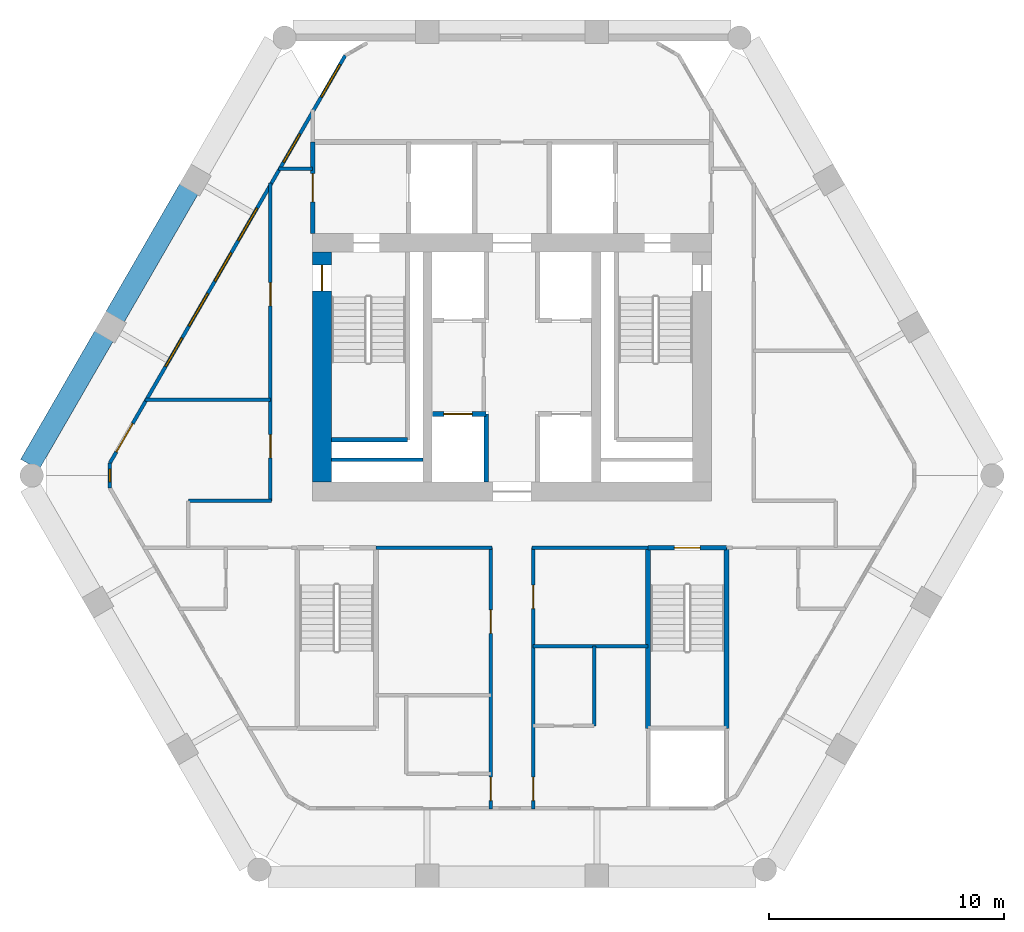
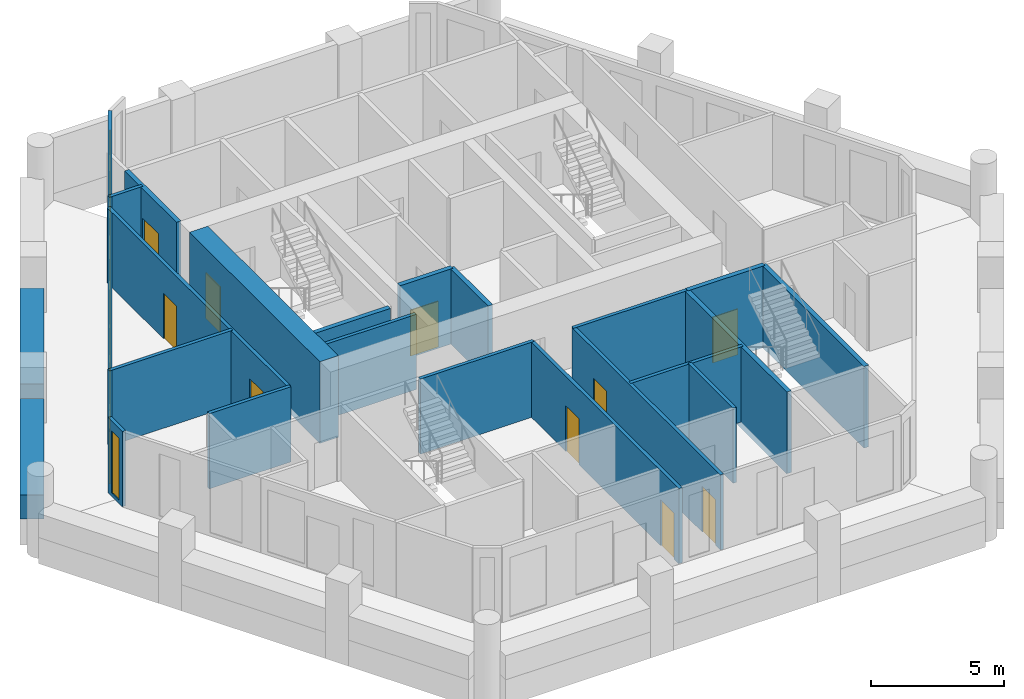
# One storey, part 3 of 7: 23 walls, 11 doors, 7 windows, 18 openings.
"""IFC4 building model written with IfcOpenShell, lengths in metres."""

from ifc_helpers import new_model, si_unit, direction, frame, frame_2d, origin, place, context, subcontext, project, spatial, rectangle, extrude, material, layer, layer_set, type_object, element, fill, save


model = new_model("IFC4")

# Units and contexts
model_context = context("Model", 3, precision=1e-05, world=origin(), true_north=direction((0.0, 1.0)))
body_context = subcontext(model_context, "Body", "Model", "MODEL_VIEW")
ifc_project = project(units=[si_unit("LENGTHUNIT", "METRE"), si_unit("AREAUNIT", "SQUARE_METRE"), si_unit("VOLUMEUNIT", "CUBIC_METRE"), si_unit("PLANEANGLEUNIT", "RADIAN"), si_unit("MASSUNIT", "GRAM", prefix="KILO")], contexts=[model_context])

# Site, building, storey
site_placement = place(None, origin())
site = spatial("IfcSite", under=ifc_project, at=site_placement, CompositionType="ELEMENT")
building_placement = place(site_placement, origin())
building = spatial("IfcBuilding", under=site, at=building_placement, Name="Ostrander Bayou Hotel Tower", CompositionType="ELEMENT")
storey_placement = place(building_placement, frame((0.0, 0.0, 179.5)))
storey = spatial("IfcBuildingStorey", under=building, at=storey_placement, Name="L44", CompositionType="ELEMENT", Elevation=179.5)

# Wall, opening, door
ifc_material_1 = material(Name="Concrete f'c 60 MPa", Category="concrete")
ifc_layer_1 = layer(ifc_material_1, 0.800048828125)
ifc_layer_set_1 = layer_set([ifc_layer_1], Name="CW8 core spine wall 800 mm f'c 60 MPa")
wall_type_1 = type_object("IfcWallType", Name="CW8 core spine wall 800 mm f'c 60 MPa", PredefinedType="SHEAR", material=ifc_layer_set_1)
wall_1_placement = place(storey_placement, frame((-8.10009765625, -0.89990234375, -0.300048828125), z_axis=(0.0, 0.0, 1.0), x_axis=(0.0, 1.0, 0.0)))
wall_1 = element("IfcWall", 1, at=wall_1_placement, inside=storey, type_object=wall_type_1, Name="CW8 L44 W", PredefinedType="SHEAR", context=body_context, shape_type="SweptSolid", body=[
    extrude(rectangle(XDim=9.7998046875, YDim=0.800048828125, at=frame_2d((4.89990234375, 0.0))), origin(), (0.0, 0.0, 1.0), 3.75),
])
opening_1_placement = place(wall_1_placement, frame((8.14990234375, 0.0, 0.0)))
opening_1 = element("IfcOpeningElement", 2, at=opening_1_placement, cuts=wall_1, Name="Opening T44-008", PredefinedType="OPENING", context=body_context, shape_type="SweptSolid", body=[
    extrude(rectangle(XDim=1.10009765625, YDim=2.10009765625, at=frame_2d((0.550048828125, 1.050048828125))), frame((0.0, 0.39990234375, 0.0), z_axis=(0.0, -1.0, 0.0), x_axis=(1.0, 0.0, 0.0)), (0.0, 0.0, 1.0), 0.800048828125),
])
ifc_material_2 = material(Name="Timber door leaf", Category="wood")
door_type_1 = type_object("IfcDoorType", Name="D5 stair door 1100 x 2100 mm, 90 minute", OperationType="SINGLE_SWING_LEFT", PredefinedType="DOOR", material=ifc_material_2)
door_1_placement = place(opening_1_placement, origin())
door_1 = element("IfcDoor", 3, at=door_1_placement, inside=storey, type_object=door_type_1, Name="dr:L44:008", OperationType="SINGLE_SWING_RIGHT", OverallHeight=2.10009765625, OverallWidth=1.10009765625, PredefinedType="DOOR", context=body_context, shape_type="SweptSolid", body=[
    extrude(rectangle(XDim=1.10009765625, YDim=2.10009765625, at=frame_2d((0.550048828125, 1.050048828125))), frame((0.0, 0.02490234375, 0.0), z_axis=(0.0, -1.0, 0.0), x_axis=(1.0, 0.0, 0.0)), (0.0, 0.0, 1.0), 0.050048828125),
])
fill(opening_1, door_1)

# Wall, openings, door, windows
ifc_material_3 = material(Name="Aluminium framed insulated wall", Category="aluminium")
ifc_layer_2 = layer(ifc_material_3, 0.14990234375)
ifc_layer_set_2 = layer_set([ifc_layer_2], Name="GW1 glass-line wall 150 mm")
wall_type_2 = type_object("IfcWallType", Name="GW1 glass-line wall 150 mm", PredefinedType="SOLIDWALL", material=ifc_layer_set_2)
wall_2_placement = place(storey_placement, frame((-7.109375, 17.29248046875, 0.0), z_axis=(0.0, 0.0, 1.0), x_axis=(-0.499999728453, -0.866025560562, 0.0)))
wall_2 = element("IfcWall", 4, at=wall_2_placement, inside=storey, type_object=wall_type_2, Name="GW1 L44 NW 1", PredefinedType="SOLIDWALL", context=body_context, shape_type="SweptSolid", body=[
    extrude(rectangle(XDim=20.07080078125, YDim=0.14990234375, at=frame_2d((10.035400390625, 0.0))), origin(), (0.0, 0.0, 1.0), 3.449951171875),
])
opening_2_placement = place(wall_2_placement, frame((3.86767578125, 0.0, 0.14990234375)))
opening_2 = element("IfcOpeningElement", 5, at=opening_2_placement, cuts=wall_2, Name="Opening W13", PredefinedType="OPENING", context=body_context, shape_type="SweptSolid", body=[
    extrude(rectangle(XDim=1.39990234375, YDim=2.85009765625, at=frame_2d((0.699951171875, 1.425048828125))), frame((0.0, 0.074951171875, 0.0), z_axis=(0.0, -1.0, 0.0), x_axis=(1.0, 0.0, 0.0)), (0.0, 0.0, 1.0), 0.14990234375),
])
opening_3_placement = place(wall_2_placement, frame((7.52099609375, 0.0, 0.14990234375)))
opening_3 = element("IfcOpeningElement", 6, at=opening_3_placement, cuts=wall_2, Name="Opening W3", PredefinedType="OPENING", context=body_context, shape_type="SweptSolid", body=[
    extrude(rectangle(XDim=1.60009765625, YDim=2.85009765625, at=frame_2d((0.800048828125, 1.425048828125))), frame((0.0, 0.074951171875, 0.0), z_axis=(0.0, -1.0, 0.0), x_axis=(1.0, 0.0, 0.0)), (0.0, 0.0, 1.0), 0.14990234375),
])
opening_4_placement = place(wall_2_placement, frame((9.72119140625, 0.0, 0.14990234375)))
opening_4 = element("IfcOpeningElement", 7, at=opening_4_placement, cuts=wall_2, Name="Opening W13", PredefinedType="OPENING", context=body_context, shape_type="SweptSolid", body=[
    extrude(rectangle(XDim=1.39990234375, YDim=2.85009765625, at=frame_2d((0.699951171875, 1.425048828125))), frame((0.0, 0.074951171875, 0.0), z_axis=(0.0, -1.0, 0.0), x_axis=(1.0, 0.0, 0.0)), (0.0, 0.0, 1.0), 0.14990234375),
])
opening_5_placement = place(wall_2_placement, frame((11.72119140625, 0.0, 0.14990234375)))
opening_5 = element("IfcOpeningElement", 8, at=opening_5_placement, cuts=wall_2, Name="Opening W3", PredefinedType="OPENING", context=body_context, shape_type="SweptSolid", body=[
    extrude(rectangle(XDim=1.60009765625, YDim=2.85009765625, at=frame_2d((0.800048828125, 1.425048828125))), frame((0.0, 0.074951171875, 0.0), z_axis=(0.0, -1.0, 0.0), x_axis=(1.0, 0.0, 0.0)), (0.0, 0.0, 1.0), 0.14990234375),
])
opening_6_placement = place(wall_2_placement, frame((13.921142578125, 0.0, 0.14990234375)))
opening_6 = element("IfcOpeningElement", 9, at=opening_6_placement, cuts=wall_2, Name="Opening W13", PredefinedType="OPENING", context=body_context, shape_type="SweptSolid", body=[
    extrude(rectangle(XDim=1.39990234375, YDim=2.85009765625, at=frame_2d((0.699951171875, 1.425048828125))), frame((0.0, 0.074951171875, 0.0), z_axis=(0.0, -1.0, 0.0), x_axis=(1.0, 0.0, 0.0)), (0.0, 0.0, 1.0), 0.14990234375),
])
opening_7_placement = place(wall_2_placement, frame((18.12109375, 0.0, 0.0)))
opening_7 = element("IfcOpeningElement", 10, at=opening_7_placement, cuts=wall_2, Name="Opening T44-800", PredefinedType="OPENING", context=body_context, shape_type="SweptSolid", body=[
    extrude(rectangle(XDim=1.39990234375, YDim=2.39990234375, at=frame_2d((0.699951171875, 1.199951171875))), frame((0.0, 0.074951171875, 0.0), z_axis=(0.0, -1.0, 0.0), x_axis=(1.0, 0.0, 0.0)), (0.0, 0.0, 1.0), 0.14990234375),
])
opening_8_placement = place(wall_2_placement, frame((0.45166015625, 0.0, 0.14990234375)))
opening_8 = element("IfcOpeningElement", 11, at=opening_8_placement, cuts=wall_2, Name="Opening W3", PredefinedType="OPENING", context=body_context, shape_type="SweptSolid", body=[
    extrude(rectangle(XDim=1.60009765625, YDim=2.72998046875, at=frame_2d((0.800048828125, 1.364990234375))), frame((0.0, 0.074951171875, 0.0), z_axis=(0.0, -1.0, 0.0), x_axis=(1.0, 0.0, 0.0)), (0.0, 0.0, 1.0), 0.14990234375),
])
ifc_material_4 = material(Name="Aluminium and clear glass", Category="aluminium")
door_type_2 = type_object("IfcDoorType", Name="SD3 sliding glass door 1400 mm, zone 3", OperationType="SLIDING_TO_LEFT", PredefinedType="DOOR", material=ifc_material_4)
door_2_placement = place(opening_7_placement, origin())
door_2 = element("IfcDoor", 12, at=door_2_placement, inside=storey, type_object=door_type_2, Name="SD3 L44 NW 4", OperationType="SLIDING_TO_RIGHT", OverallHeight=2.39990234375, OverallWidth=1.39990234375, PredefinedType="DOOR", context=body_context, shape_type="SweptSolid", body=[
    extrude(rectangle(XDim=1.39990234375, YDim=2.39990234375, at=frame_2d((0.699951171875, 1.199951171875))), frame((0.0, 0.02490234375, 0.0), z_axis=(0.0, -1.0, 0.0), x_axis=(1.0, 0.0, 0.0)), (0.0, 0.0, 1.0), 0.050048828125),
])
fill(opening_7, door_2)
ifc_material_5 = material(Name="Aluminium and clear glass", Category="aluminium")
window_type_1 = type_object("IfcWindowType", Name="W13 fixed window 1400 mm, bath bay, zone 3", PartitioningType="SINGLE_PANEL", PredefinedType="WINDOW", material=ifc_material_5)
window_1_placement = place(opening_2_placement, origin())
window_1 = element("IfcWindow", 13, at=window_1_placement, inside=storey, type_object=window_type_1, Name="W13 L44 NW 1", OverallHeight=2.85009765625, OverallWidth=1.39990234375, PartitioningType="SINGLE_PANEL", PredefinedType="WINDOW", context=body_context, shape_type="SweptSolid", body=[
    extrude(rectangle(XDim=1.39990234375, YDim=2.85009765625, at=frame_2d((0.699951171875, 1.425048828125))), frame((0.0, 0.030029296875, 0.0), z_axis=(0.0, -1.0, 0.0), x_axis=(1.0, 0.0, 0.0)), (0.0, 0.0, 1.0), 0.06005859375),
])
fill(opening_2, window_1)
window_2_placement = place(opening_4_placement, origin())
window_2 = element("IfcWindow", 14, at=window_2_placement, inside=storey, type_object=window_type_1, Name="W13 L44 NW 2", OverallHeight=2.85009765625, OverallWidth=1.39990234375, PartitioningType="SINGLE_PANEL", PredefinedType="WINDOW", context=body_context, shape_type="SweptSolid", body=[
    extrude(rectangle(XDim=1.39990234375, YDim=2.85009765625, at=frame_2d((0.699951171875, 1.425048828125))), frame((0.0, 0.030029296875, 0.0), z_axis=(0.0, -1.0, 0.0), x_axis=(1.0, 0.0, 0.0)), (0.0, 0.0, 1.0), 0.06005859375),
])
fill(opening_4, window_2)
window_3_placement = place(opening_6_placement, origin())
window_3 = element("IfcWindow", 15, at=window_3_placement, inside=storey, type_object=window_type_1, Name="W13 L44 NW 3", OverallHeight=2.85009765625, OverallWidth=1.39990234375, PartitioningType="SINGLE_PANEL", PredefinedType="WINDOW", context=body_context, shape_type="SweptSolid", body=[
    extrude(rectangle(XDim=1.39990234375, YDim=2.85009765625, at=frame_2d((0.699951171875, 1.425048828125))), frame((0.0, 0.030029296875, 0.0), z_axis=(0.0, -1.0, 0.0), x_axis=(1.0, 0.0, 0.0)), (0.0, 0.0, 1.0), 0.06005859375),
])
fill(opening_6, window_3)
ifc_material_6 = material(Name="Aluminium and clear glass", Category="aluminium")
window_type_2 = type_object("IfcWindowType", Name="W3 fixed window 1600 mm, zone 3", PartitioningType="SINGLE_PANEL", PredefinedType="WINDOW", material=ifc_material_6)
window_4_placement = place(opening_3_placement, origin())
window_4 = element("IfcWindow", 16, at=window_4_placement, inside=storey, type_object=window_type_2, Name="W3 L44 NW 2", OverallHeight=2.85009765625, OverallWidth=1.60009765625, PartitioningType="SINGLE_PANEL", PredefinedType="WINDOW", context=body_context, shape_type="SweptSolid", body=[
    extrude(rectangle(XDim=1.60009765625, YDim=2.85009765625, at=frame_2d((0.800048828125, 1.425048828125))), frame((0.0, 0.030029296875, 0.0), z_axis=(0.0, -1.0, 0.0), x_axis=(1.0, 0.0, 0.0)), (0.0, 0.0, 1.0), 0.06005859375),
])
fill(opening_3, window_4)
window_5_placement = place(opening_5_placement, origin())
window_5 = element("IfcWindow", 17, at=window_5_placement, inside=storey, type_object=window_type_2, Name="W3 L44 NW 3", OverallHeight=2.85009765625, OverallWidth=1.60009765625, PartitioningType="SINGLE_PANEL", PredefinedType="WINDOW", context=body_context, shape_type="SweptSolid", body=[
    extrude(rectangle(XDim=1.60009765625, YDim=2.85009765625, at=frame_2d((0.800048828125, 1.425048828125))), frame((0.0, 0.030029296875, 0.0), z_axis=(0.0, -1.0, 0.0), x_axis=(1.0, 0.0, 0.0)), (0.0, 0.0, 1.0), 0.06005859375),
])
fill(opening_5, window_5)
window_6_placement = place(opening_8_placement, origin())
window_6 = element("IfcWindow", 18, at=window_6_placement, inside=storey, type_object=window_type_2, Name="W3 L44 NW E11", OverallHeight=2.72998046875, OverallWidth=1.60009765625, PartitioningType="SINGLE_PANEL", PredefinedType="WINDOW", context=body_context, shape_type="SweptSolid", body=[
    extrude(rectangle(XDim=1.60009765625, YDim=2.72998046875, at=frame_2d((0.800048828125, 1.364990234375))), frame((0.0, 0.030029296875, 0.0), z_axis=(0.0, -1.0, 0.0), x_axis=(1.0, 0.0, 0.0)), (0.0, 0.0, 1.0), 0.06005859375),
])
fill(opening_8, window_6)

# Wall, opening, window
wall_3_placement = place(storey_placement, frame((-17.144775390625, -0.08935546875, 0.0), z_axis=(0.0, 0.0, 1.0), x_axis=(0.0, -1.0, 0.0)))
wall_3 = element("IfcWall", 19, at=wall_3_placement, inside=storey, type_object=wall_type_2, Name="GW1 L44 corner 2", PredefinedType="SOLIDWALL", context=body_context, shape_type="SweptSolid", body=[
    extrude(rectangle(XDim=1.06494140625, YDim=0.14990234375, at=frame_2d((0.532470703125, 0.0))), origin(), (0.0, 0.0, 1.0), 3.449951171875),
])
opening_9_placement = place(wall_3_placement, frame((0.257568359375, 0.0, 0.14990234375)))
opening_9 = element("IfcOpeningElement", 20, at=opening_9_placement, cuts=wall_3, Name="Opening W19", PredefinedType="OPENING", context=body_context, shape_type="SweptSolid", body=[
    extrude(rectangle(XDim=0.550048828125, YDim=2.85009765625, at=frame_2d((0.27490234375, 1.425048828125))), frame((0.0, 0.074951171875, 0.0), z_axis=(0.0, -1.0, 0.0), x_axis=(1.0, 0.0, 0.0)), (0.0, 0.0, 1.0), 0.14990234375),
])
ifc_material_7 = material(Name="Aluminium and clear glass", Category="aluminium")
window_type_3 = type_object("IfcWindowType", Name="W19 corner window 550 mm", PartitioningType="SINGLE_PANEL", PredefinedType="WINDOW", material=ifc_material_7)
window_7_placement = place(opening_9_placement, origin())
window_7 = element("IfcWindow", 21, at=window_7_placement, inside=storey, type_object=window_type_3, Name="W19 L44 corner 2", OverallHeight=2.85009765625, OverallWidth=0.550048828125, PartitioningType="SINGLE_PANEL", PredefinedType="WINDOW", context=body_context, shape_type="SweptSolid", body=[
    extrude(rectangle(XDim=0.550048828125, YDim=2.85009765625, at=frame_2d((0.27490234375, 1.425048828125))), frame((0.0, 0.030029296875, 0.0), z_axis=(0.0, -1.0, 0.0), x_axis=(1.0, 0.0, 0.0)), (0.0, 0.0, 1.0), 0.06005859375),
])
fill(opening_9, window_7)

# Walls
ifc_material_8 = material(Name="Concrete f'c 40 MPa", Category="concrete")
ifc_layer_3 = layer(ifc_material_8, 0.89990234375)
ifc_layer_set_3 = layer_set([ifc_layer_3], Name="PA1 stone-faced parapet 900 mm")
wall_type_3 = type_object("IfcWallType", Name="PA1 stone-faced parapet 900 mm", PredefinedType="PARAPET", material=ifc_layer_set_3)
wall_4_placement = place(storey_placement, frame((-13.779052734375, 11.59033203125, 0.0), z_axis=(0.0, 0.0, 1.0), x_axis=(-0.499984268907, -0.866034485945, 0.0)))
element("IfcWall", 22, at=wall_4_placement, inside=storey, type_object=wall_type_3, Name="PA1 L44 NW-2", PredefinedType="PARAPET", context=body_context, shape_type="SweptSolid", body=[
    extrude(rectangle(XDim=6.296142578125, YDim=0.89990234375, at=frame_2d((3.14794921875, 0.0))), origin(), (0.0, 0.0, 1.0), 1.10009765625),
])
wall_5_placement = place(storey_placement, frame((-17.39697265625, 5.32373046875, 0.0), z_axis=(0.0, 0.0, 1.0), x_axis=(-0.500017688138, -0.866015191293, 0.0)))
element("IfcWall", 23, at=wall_5_placement, inside=storey, type_object=wall_type_3, Name="PA1 L44 NW-3", PredefinedType="PARAPET", context=body_context, shape_type="SweptSolid", body=[
    extrude(rectangle(XDim=6.322998046875, YDim=0.89990234375, at=frame_2d((3.16162109375, 0.0))), origin(), (0.0, 0.0, 1.0), 1.10009765625),
])

# Wall, opening, door
ifc_material_9 = material(Name="Masonry block", Category="masonry")
ifc_layer_4 = layer(ifc_material_9, 0.199951171875)
ifc_layer_set_4 = layer_set([ifc_layer_4], Name="PT5 stair enclosure wall 200 mm masonry, 2 hour")
wall_type_4 = type_object("IfcWallType", Name="PT5 stair enclosure wall 200 mm masonry, 2 hour", PredefinedType="PARTITIONING", material=ifc_layer_set_4)
wall_6_placement = place(storey_placement, frame((-8.5, 9.699951171875, 0.0), z_axis=(0.0, 0.0, 1.0), x_axis=(0.0, 1.0, 0.0)))
wall_6 = element("IfcWall", 24, at=wall_6_placement, inside=storey, type_object=wall_type_4, Name="cs:L44:026", PredefinedType="PARTITIONING", context=body_context, shape_type="SweptSolid", body=[
    extrude(rectangle(XDim=3.900146484375, YDim=0.199951171875, at=frame_2d((1.9501953125, 0.0))), origin(), (0.0, 0.0, 1.0), 3.449951171875),
])
opening_10_placement = place(wall_6_placement, frame((1.35009765625, 0.0, 0.0)))
opening_10 = element("IfcOpeningElement", 25, at=opening_10_placement, cuts=wall_6, Name="Opening T44-014", PredefinedType="OPENING", context=body_context, shape_type="SweptSolid", body=[
    extrude(rectangle(XDim=1.199951171875, YDim=2.10009765625, at=frame_2d((0.60009765625, 1.050048828125))), frame((0.0, 0.10009765625, 0.0), z_axis=(0.0, -1.0, 0.0), x_axis=(1.0, 0.0, 0.0)), (0.0, 0.0, 1.0), 0.199951171875),
])
ifc_material_10 = material(Name="Timber door leaf", Category="wood")
door_type_3 = type_object("IfcDoorType", Name="D7 lobby door 1200 x 2100 mm, 1 hour", OperationType="SINGLE_SWING_LEFT", PredefinedType="DOOR", material=ifc_material_10)
door_3_placement = place(opening_10_placement, origin())
door_3 = element("IfcDoor", 26, at=door_3_placement, inside=storey, type_object=door_type_3, Name="dr:L44:014", OperationType="SINGLE_SWING_LEFT", OverallHeight=2.10009765625, OverallWidth=1.199951171875, PredefinedType="DOOR", context=body_context, shape_type="SweptSolid", body=[
    extrude(rectangle(XDim=1.199951171875, YDim=2.10009765625, at=frame_2d((0.60009765625, 1.050048828125))), frame((0.0, 0.02490234375, 0.0), z_axis=(0.0, -1.0, 0.0), x_axis=(1.0, 0.0, 0.0)), (0.0, 0.0, 1.0), 0.050048828125),
])
fill(opening_10, door_3)

ifc_material_11 = material(Name="Masonry block", Category="masonry")
ifc_layer_5 = layer(ifc_material_11, 0.199951171875)
ifc_layer_set_5 = layer_set([ifc_layer_5], Name="PT6 lift shaft wall 200 mm masonry, 2 hour")
wall_type_5 = type_object("IfcWallType", Name="PT6 lift shaft wall 200 mm masonry, 2 hour", PredefinedType="PARTITIONING", material=ifc_layer_set_5)
wall_7_placement = place(storey_placement, frame((-3.39990234375, 2.0, 0.0), z_axis=(0.0, 0.0, 1.0), x_axis=(1.0, 0.0, 0.0)))
wall_7 = element("IfcWall", 27, at=wall_7_placement, inside=storey, type_object=wall_type_5, Name="cs:L44:001", PredefinedType="PARTITIONING", context=body_context, shape_type="SweptSolid", body=[
    extrude(rectangle(XDim=2.2998046875, YDim=0.199951171875, at=frame_2d((1.14990234375, 0.0))), origin(), (0.0, 0.0, 1.0), 3.449951171875),
])
opening_11_placement = place(wall_7_placement, frame((0.5, 0.0, 0.0)))
opening_11 = element("IfcOpeningElement", 28, at=opening_11_placement, cuts=wall_7, Name="Opening T44-001", PredefinedType="OPENING", context=body_context, shape_type="SweptSolid", body=[
    extrude(rectangle(XDim=1.199951171875, YDim=2.10009765625, at=frame_2d((0.60009765625, 1.050048828125))), frame((0.0, 0.10009765625, 0.0), z_axis=(0.0, -1.0, 0.0), x_axis=(1.0, 0.0, 0.0)), (0.0, 0.0, 1.0), 0.199951171875),
])
ifc_material_12 = material(Name="Stainless steel sliding door", Category="steel")
door_type_4 = type_object("IfcDoorType", Name="LD1 lift landing door 1200 x 2100 mm", OperationType="SINGLE_SWING_LEFT", PredefinedType="DOOR", material=ifc_material_12)
door_4_placement = place(opening_11_placement, origin())
door_4 = element("IfcDoor", 29, at=door_4_placement, inside=storey, type_object=door_type_4, Name="dr:L44:001", OperationType="SLIDING_TO_LEFT", OverallHeight=2.10009765625, OverallWidth=1.199951171875, PredefinedType="DOOR", context=body_context, shape_type="SweptSolid", body=[
    extrude(rectangle(XDim=1.199951171875, YDim=2.10009765625, at=frame_2d((0.60009765625, 1.050048828125))), frame((0.0, 0.02490234375, 0.0), z_axis=(0.0, -1.0, 0.0), x_axis=(1.0, 0.0, 0.0)), (0.0, 0.0, 1.0), 0.050048828125),
])
fill(opening_11, door_4)

# Walls
wall_8_placement = place(storey_placement, frame((-1.10009765625, -0.89990234375, 0.0), z_axis=(0.0, 0.0, 1.0), x_axis=(0.0, 1.0, 0.0)))
element("IfcWall", 30, at=wall_8_placement, inside=storey, type_object=wall_type_5, Name="cs:L44:005", PredefinedType="PARTITIONING", context=body_context, shape_type="SweptSolid", body=[
    extrude(rectangle(XDim=2.89990234375, YDim=0.199951171875, at=frame_2d((1.449951171875, 0.0))), origin(), (0.0, 0.0, 1.0), 3.449951171875),
])
ifc_material_13 = material(Name="Gypsum board partition", Category="finish")
ifc_layer_6 = layer(ifc_material_13, 0.14990234375)
ifc_layer_set_6 = layer_set([ifc_layer_6], Name="PT7 riser wall 150 mm, 2 hour")
wall_type_6 = type_object("IfcWallType", Name="PT7 riser wall 150 mm, 2 hour", PredefinedType="PARTITIONING", material=ifc_layer_set_6)
wall_9_placement = place(storey_placement, frame((-7.699951171875, 0.050048828125, 0.0), z_axis=(0.0, 0.0, 1.0), x_axis=(1.0, 0.0, 0.0)))
element("IfcWall", 31, at=wall_9_placement, inside=storey, type_object=wall_type_6, Name="cs:L44:011", PredefinedType="PARTITIONING", context=body_context, shape_type="SweptSolid", body=[
    extrude(rectangle(XDim=3.89990234375, YDim=0.14990234375, at=frame_2d((1.949951171875, 0.0))), origin(), (0.0, 0.0, 1.0), 3.449951171875),
])
ifc_material_14 = material(Name="Gypsum board partition", Category="finish")
ifc_layer_7 = layer(ifc_material_14, 0.14990234375)
ifc_layer_set_7 = layer_set([ifc_layer_7], Name="PT8 service band wall 150 mm, 1 hour")
wall_type_7 = type_object("IfcWallType", Name="PT8 service band wall 150 mm, 1 hour", PredefinedType="PARTITIONING", material=ifc_layer_set_7)
wall_10_placement = place(storey_placement, frame((0.89990234375, -7.89990234375, 0.0), z_axis=(0.0, 0.0, 1.0), x_axis=(1.0, 0.0, 0.0)))
element("IfcWall", 32, at=wall_10_placement, inside=storey, type_object=wall_type_7, Name="gw:L44:005", PredefinedType="PARTITIONING", context=body_context, shape_type="SweptSolid", body=[
    extrude(rectangle(XDim=4.89013671875, YDim=0.14990234375, at=frame_2d((2.445068359375, 0.0))), origin(), (0.0, 0.0, 1.0), 3.449951171875),
])
for number, where, z_axis, x_axis, name in (
    (33, (-5.7900390625, -3.699951171875, 0.0), (0.0, 0.0, 1.0), (1.0, 0.0, 0.0), "gw:L44:009"),
    (34, (0.860107421875, -3.699951171875, 0.0), (0.0, 0.0, 1.0), (1.0, 0.0, 0.0), "gw:L44:010"),
):
    element("IfcWall", number, at=place(storey_placement, frame(where, z_axis=z_axis, x_axis=x_axis)), inside=storey, type_object=wall_type_7, Name=name, PredefinedType="PARTITIONING", context=body_context, shape_type="SweptSolid", body=[
        extrude(rectangle(XDim=4.929931640625, YDim=0.14990234375, at=frame_2d((2.46484375, 0.0))), origin(), (0.0, 0.0, 1.0), 3.449951171875),
    ])
wall_11_placement = place(storey_placement, frame((-13.800048828125, -1.699951171875, 0.0), z_axis=(0.0, 0.0, 1.0), x_axis=(1.0, 0.0, 0.0)))
element("IfcWall", 35, at=wall_11_placement, inside=storey, type_object=wall_type_7, Name="gw:L44:012", PredefinedType="PARTITIONING", context=body_context, shape_type="SweptSolid", body=[
    extrude(rectangle(XDim=3.5400390625, YDim=0.14990234375, at=frame_2d((1.77001953125, 0.0))), origin(), (0.0, 0.0, 1.0), 3.449951171875),
])
wall_12_placement = place(storey_placement, frame((-15.64404296875, 2.60009765625, 0.0), z_axis=(0.0, 0.0, 1.0), x_axis=(1.0, 0.0, 0.0)))
element("IfcWall", 36, at=wall_12_placement, inside=storey, type_object=wall_type_7, Name="gw:L44:014", PredefinedType="PARTITIONING", context=body_context, shape_type="SweptSolid", body=[
    extrude(rectangle(XDim=5.343994140625, YDim=0.14990234375, at=frame_2d((2.671875, 0.0))), origin(), (0.0, 0.0, 1.0), 3.449951171875),
])
wall_13_placement = place(storey_placement, frame((-9.95703125, 12.449951171875, 0.0), z_axis=(0.0, 0.0, 1.0), x_axis=(1.0, 0.0, 0.0)))
element("IfcWall", 37, at=wall_13_placement, inside=storey, type_object=wall_type_7, Name="gw:L44:016", PredefinedType="PARTITIONING", context=body_context, shape_type="SweptSolid", body=[
    extrude(rectangle(XDim=1.447021484375, YDim=0.14990234375, at=frame_2d((0.7236328125, 0.0))), origin(), (0.0, 0.0, 1.0), 3.449951171875),
])
wall_14_placement = place(storey_placement, frame((3.5, -11.300048828125, 0.0), z_axis=(0.0, 0.0, 1.0), x_axis=(0.0, 1.0, 0.0)))
element("IfcWall", 38, at=wall_14_placement, inside=storey, type_object=wall_type_7, Name="gw:L44:024", PredefinedType="PARTITIONING", context=body_context, shape_type="SweptSolid", body=[
    extrude(rectangle(XDim=3.400146484375, YDim=0.14990234375, at=frame_2d((1.7001953125, 0.0))), origin(), (0.0, 0.0, 1.0), 3.449951171875),
])

# Wall, openings, doors
wall_15_placement = place(storey_placement, frame((0.89990234375, -14.847900390625, 0.0), z_axis=(0.0, 0.0, 1.0), x_axis=(0.0, 1.0, 0.0)))
wall_15 = element("IfcWall", 39, at=wall_15_placement, inside=storey, type_object=wall_type_7, Name="gw:L44:025", PredefinedType="PARTITIONING", context=body_context, shape_type="SweptSolid", body=[
    extrude(rectangle(XDim=11.14794921875, YDim=0.14990234375, at=frame_2d((5.573974609375, 0.0))), origin(), (0.0, 0.0, 1.0), 3.449951171875),
])
opening_12_placement = place(wall_15_placement, frame((8.548095703125, 0.0, 0.0)))
opening_12 = element("IfcOpeningElement", 40, at=opening_12_placement, cuts=wall_15, Name="Opening T44-405", PredefinedType="OPENING", context=body_context, shape_type="SweptSolid", body=[
    extrude(rectangle(XDim=1.0, YDim=2.10009765625, at=frame_2d((0.5, 1.050048828125))), frame((0.0, 0.074951171875, 0.0), z_axis=(0.0, -1.0, 0.0), x_axis=(1.0, 0.0, 0.0)), (0.0, 0.0, 1.0), 0.14990234375),
])
opening_13_placement = place(wall_15_placement, frame((0.367919921875, 0.0, 0.0)))
opening_13 = element("IfcOpeningElement", 41, at=opening_13_placement, cuts=wall_15, Name="Opening T44-406", PredefinedType="OPENING", context=body_context, shape_type="SweptSolid", body=[
    extrude(rectangle(XDim=1.0, YDim=2.10009765625, at=frame_2d((0.5, 1.050048828125))), frame((0.0, 0.074951171875, 0.0), z_axis=(0.0, -1.0, 0.0), x_axis=(1.0, 0.0, 0.0)), (0.0, 0.0, 1.0), 0.14990234375),
])
ifc_material_15 = material(Name="Timber door leaf", Category="wood")
door_type_5 = type_object("IfcDoorType", Name="D1 guest room door 1000 x 2100 mm, 30 minute", OperationType="SINGLE_SWING_LEFT", PredefinedType="DOOR", material=ifc_material_15)
door_5_placement = place(opening_13_placement, origin())
door_5 = element("IfcDoor", 42, at=door_5_placement, inside=storey, type_object=door_type_5, Name="dr:L44:406", OperationType="SINGLE_SWING_LEFT", OverallHeight=2.10009765625, OverallWidth=1.0, PredefinedType="DOOR", context=body_context, shape_type="SweptSolid", body=[
    extrude(rectangle(XDim=1.0, YDim=2.10009765625, at=frame_2d((0.5, 1.050048828125))), frame((0.0, 0.02490234375, 0.0), z_axis=(0.0, -1.0, 0.0), x_axis=(1.0, 0.0, 0.0)), (0.0, 0.0, 1.0), 0.050048828125),
])
fill(opening_13, door_5)
ifc_material_16 = material(Name="Timber door leaf", Category="wood")
door_type_6 = type_object("IfcDoorType", Name="D15 room door 1000 x 2100 mm", OperationType="SINGLE_SWING_LEFT", PredefinedType="DOOR", material=ifc_material_16)
door_6_placement = place(opening_12_placement, origin())
door_6 = element("IfcDoor", 43, at=door_6_placement, inside=storey, type_object=door_type_6, Name="dr:L44:405", OperationType="SINGLE_SWING_RIGHT", OverallHeight=2.10009765625, OverallWidth=1.0, PredefinedType="DOOR", context=body_context, shape_type="SweptSolid", body=[
    extrude(rectangle(XDim=1.0, YDim=2.10009765625, at=frame_2d((0.5, 1.050048828125))), frame((0.0, 0.02490234375, 0.0), z_axis=(0.0, -1.0, 0.0), x_axis=(1.0, 0.0, 0.0)), (0.0, 0.0, 1.0), 0.050048828125),
])
fill(opening_12, door_6)

wall_16_placement = place(storey_placement, frame((-0.89990234375, -14.847900390625, 0.0), z_axis=(0.0, 0.0, 1.0), x_axis=(0.0, 1.0, 0.0)))
wall_16 = element("IfcWall", 44, at=wall_16_placement, inside=storey, type_object=wall_type_7, Name="gw:L44:026", PredefinedType="PARTITIONING", context=body_context, shape_type="SweptSolid", body=[
    extrude(rectangle(XDim=11.14794921875, YDim=0.14990234375, at=frame_2d((5.573974609375, 0.0))), origin(), (0.0, 0.0, 1.0), 3.449951171875),
])
opening_14_placement = place(wall_16_placement, frame((7.498046875, 0.0, 0.0)))
opening_14 = element("IfcOpeningElement", 45, at=opening_14_placement, cuts=wall_16, Name="Opening T44-402", PredefinedType="OPENING", context=body_context, shape_type="SweptSolid", body=[
    extrude(rectangle(XDim=1.0, YDim=2.10009765625, at=frame_2d((0.5, 1.050048828125))), frame((0.0, 0.074951171875, 0.0), z_axis=(0.0, -1.0, 0.0), x_axis=(1.0, 0.0, 0.0)), (0.0, 0.0, 1.0), 0.14990234375),
])
opening_15_placement = place(wall_16_placement, frame((0.367919921875, 0.0, 0.0)))
opening_15 = element("IfcOpeningElement", 46, at=opening_15_placement, cuts=wall_16, Name="Opening T44-403", PredefinedType="OPENING", context=body_context, shape_type="SweptSolid", body=[
    extrude(rectangle(XDim=1.0, YDim=2.10009765625, at=frame_2d((0.5, 1.050048828125))), frame((0.0, 0.074951171875, 0.0), z_axis=(0.0, -1.0, 0.0), x_axis=(1.0, 0.0, 0.0)), (0.0, 0.0, 1.0), 0.14990234375),
])
door_7_placement = place(opening_15_placement, origin())
door_7 = element("IfcDoor", 47, at=door_7_placement, inside=storey, type_object=door_type_5, Name="dr:L44:403", OperationType="SINGLE_SWING_LEFT", OverallHeight=2.10009765625, OverallWidth=1.0, PredefinedType="DOOR", context=body_context, shape_type="SweptSolid", body=[
    extrude(rectangle(XDim=1.0, YDim=2.10009765625, at=frame_2d((0.5, 1.050048828125))), frame((0.0, 0.02490234375, 0.0), z_axis=(0.0, -1.0, 0.0), x_axis=(1.0, 0.0, 0.0)), (0.0, 0.0, 1.0), 0.050048828125),
])
fill(opening_15, door_7)
door_8_placement = place(opening_14_placement, origin())
door_8 = element("IfcDoor", 48, at=door_8_placement, inside=storey, type_object=door_type_6, Name="dr:L44:402", OperationType="SINGLE_SWING_LEFT", OverallHeight=2.10009765625, OverallWidth=1.0, PredefinedType="DOOR", context=body_context, shape_type="SweptSolid", body=[
    extrude(rectangle(XDim=1.0, YDim=2.10009765625, at=frame_2d((0.5, 1.050048828125))), frame((0.0, 0.02490234375, 0.0), z_axis=(0.0, -1.0, 0.0), x_axis=(1.0, 0.0, 0.0)), (0.0, 0.0, 1.0), 0.050048828125),
])
fill(opening_14, door_8)

wall_17_placement = place(storey_placement, frame((-10.300048828125, -1.699951171875, 0.0), z_axis=(0.0, 0.0, 1.0), x_axis=(0.0, 1.0, 0.0)))
wall_17 = element("IfcWall", 49, at=wall_17_placement, inside=storey, type_object=wall_type_7, Name="gw:L44:029", PredefinedType="PARTITIONING", context=body_context, shape_type="SweptSolid", body=[
    extrude(rectangle(XDim=13.555908203125, YDim=0.14990234375, at=frame_2d((6.77783203125, 0.0))), origin(), (0.0, 0.0, 1.0), 3.449951171875),
])
opening_16_placement = place(wall_17_placement, frame((1.824951171875, 0.0, 0.0)))
opening_16 = element("IfcOpeningElement", 50, at=opening_16_placement, cuts=wall_17, Name="Opening T44-410", PredefinedType="OPENING", context=body_context, shape_type="SweptSolid", body=[
    extrude(rectangle(XDim=1.0, YDim=2.10009765625, at=frame_2d((0.5, 1.050048828125))), frame((0.0, 0.074951171875, 0.0), z_axis=(0.0, -1.0, 0.0), x_axis=(1.0, 0.0, 0.0)), (0.0, 0.0, 1.0), 0.14990234375),
])
opening_17_placement = place(wall_17_placement, frame((8.306884765625, 0.0, 0.0)))
opening_17 = element("IfcOpeningElement", 51, at=opening_17_placement, cuts=wall_17, Name="Opening T44-411", PredefinedType="OPENING", context=body_context, shape_type="SweptSolid", body=[
    extrude(rectangle(XDim=1.0, YDim=2.10009765625, at=frame_2d((0.5, 1.050048828125))), frame((0.0, 0.074951171875, 0.0), z_axis=(0.0, -1.0, 0.0), x_axis=(1.0, 0.0, 0.0)), (0.0, 0.0, 1.0), 0.14990234375),
])
door_9_placement = place(opening_16_placement, origin())
door_9 = element("IfcDoor", 52, at=door_9_placement, inside=storey, type_object=door_type_6, Name="dr:L44:410", OperationType="SINGLE_SWING_RIGHT", OverallHeight=2.10009765625, OverallWidth=1.0, PredefinedType="DOOR", context=body_context, shape_type="SweptSolid", body=[
    extrude(rectangle(XDim=1.0, YDim=2.10009765625, at=frame_2d((0.5, 1.050048828125))), frame((0.0, 0.02490234375, 0.0), z_axis=(0.0, -1.0, 0.0), x_axis=(1.0, 0.0, 0.0)), (0.0, 0.0, 1.0), 0.050048828125),
])
fill(opening_16, door_9)
ifc_material_17 = material(Name="Timber door leaf", Category="wood")
door_type_7 = type_object("IfcDoorType", Name="D9 service door 1000 x 2100 mm, 30 minute", OperationType="SINGLE_SWING_LEFT", PredefinedType="DOOR", material=ifc_material_17)
door_10_placement = place(opening_17_placement, origin())
door_10 = element("IfcDoor", 53, at=door_10_placement, inside=storey, type_object=door_type_7, Name="dr:L44:411", OperationType="SINGLE_SWING_LEFT", OverallHeight=2.10009765625, OverallWidth=1.0, PredefinedType="DOOR", context=body_context, shape_type="SweptSolid", body=[
    extrude(rectangle(XDim=1.0, YDim=2.10009765625, at=frame_2d((0.5, 1.050048828125))), frame((0.0, 0.02490234375, 0.0), z_axis=(0.0, -1.0, 0.0), x_axis=(1.0, 0.0, 0.0)), (0.0, 0.0, 1.0), 0.050048828125),
])
fill(opening_17, door_10)

# Wall
ifc_material_18 = material(Name="Concrete f'c 45 MPa", Category="concrete")
ifc_layer_8 = layer(ifc_material_18, 0.199951171875)
ifc_layer_set_8 = layer_set([ifc_layer_8], Name="SW5 stair enclosure wall 200 mm f'c 45 MPa")
wall_type_8 = type_object("IfcWallType", Name="SW5 stair enclosure wall 200 mm f'c 45 MPa", PredefinedType="SOLIDWALL", material=ifc_layer_set_8)
wall_18_placement = place(storey_placement, frame((-7.699951171875, 0.89990234375, -0.300048828125), z_axis=(0.0, 0.0, 1.0), x_axis=(1.0, 0.0, 0.0)))
element("IfcWall", 54, at=wall_18_placement, inside=storey, type_object=wall_type_8, Name="cs:L44:010", PredefinedType="SOLIDWALL", context=body_context, shape_type="SweptSolid", body=[
    extrude(rectangle(XDim=3.25, YDim=0.199951171875, at=frame_2d((1.625, 0.0))), origin(), (0.0, 0.0, 1.0), 3.75),
])

# Wall, opening, door
wall_19_placement = place(storey_placement, frame((5.800048828125, -3.699951171875, -0.300048828125), z_axis=(0.0, 0.0, 1.0), x_axis=(1.0, 0.0, 0.0)))
wall_19 = element("IfcWall", 55, at=wall_19_placement, inside=storey, type_object=wall_type_8, Name="cs:L44:015", PredefinedType="SOLIDWALL", context=body_context, shape_type="SweptSolid", body=[
    extrude(rectangle(XDim=3.349853515625, YDim=0.199951171875, at=frame_2d((1.6748046875, 0.0))), origin(), (0.0, 0.0, 1.0), 3.75),
])
opening_18_placement = place(wall_19_placement, frame((1.125, 0.0, 0.0)))
opening_18 = element("IfcOpeningElement", 56, at=opening_18_placement, cuts=wall_19, Name="Opening T44-011", PredefinedType="OPENING", context=body_context, shape_type="SweptSolid", body=[
    extrude(rectangle(XDim=1.10009765625, YDim=2.10009765625, at=frame_2d((0.550048828125, 1.050048828125))), frame((0.0, 0.10009765625, 0.0), z_axis=(0.0, -1.0, 0.0), x_axis=(1.0, 0.0, 0.0)), (0.0, 0.0, 1.0), 0.199951171875),
])
door_11_placement = place(opening_18_placement, origin())
door_11 = element("IfcDoor", 57, at=door_11_placement, inside=storey, type_object=door_type_1, Name="dr:L44:011", OperationType="SINGLE_SWING_LEFT", OverallHeight=2.10009765625, OverallWidth=1.10009765625, PredefinedType="DOOR", context=body_context, shape_type="SweptSolid", body=[
    extrude(rectangle(XDim=1.10009765625, YDim=2.10009765625, at=frame_2d((0.550048828125, 1.050048828125))), frame((0.0, 0.02490234375, 0.0), z_axis=(0.0, -1.0, 0.0), x_axis=(1.0, 0.0, 0.0)), (0.0, 0.0, 1.0), 0.050048828125),
])
fill(opening_18, door_11)

# Walls
for number, where, z_axis, x_axis, name in (
    (58, (5.800048828125, -3.699951171875, -0.300048828125), (0.0, 0.0, 1.0), (0.0, -1.0, 0.0), "cs:L44:016"),
    (59, (9.14990234375, -3.699951171875, -0.300048828125), (0.0, 0.0, 1.0), (0.0, -1.0, 0.0), "cs:L44:017"),
):
    element("IfcWall", number, at=place(storey_placement, frame(where, z_axis=z_axis, x_axis=x_axis)), inside=storey, type_object=wall_type_8, Name=name, PredefinedType="SOLIDWALL", context=body_context, shape_type="SweptSolid", body=[
        extrude(rectangle(XDim=7.699951171875, YDim=0.199951171875, at=frame_2d((3.85009765625, 0.0))), origin(), (0.0, 0.0, 1.0), 3.75),
    ])

save(model, "model.ifc")
